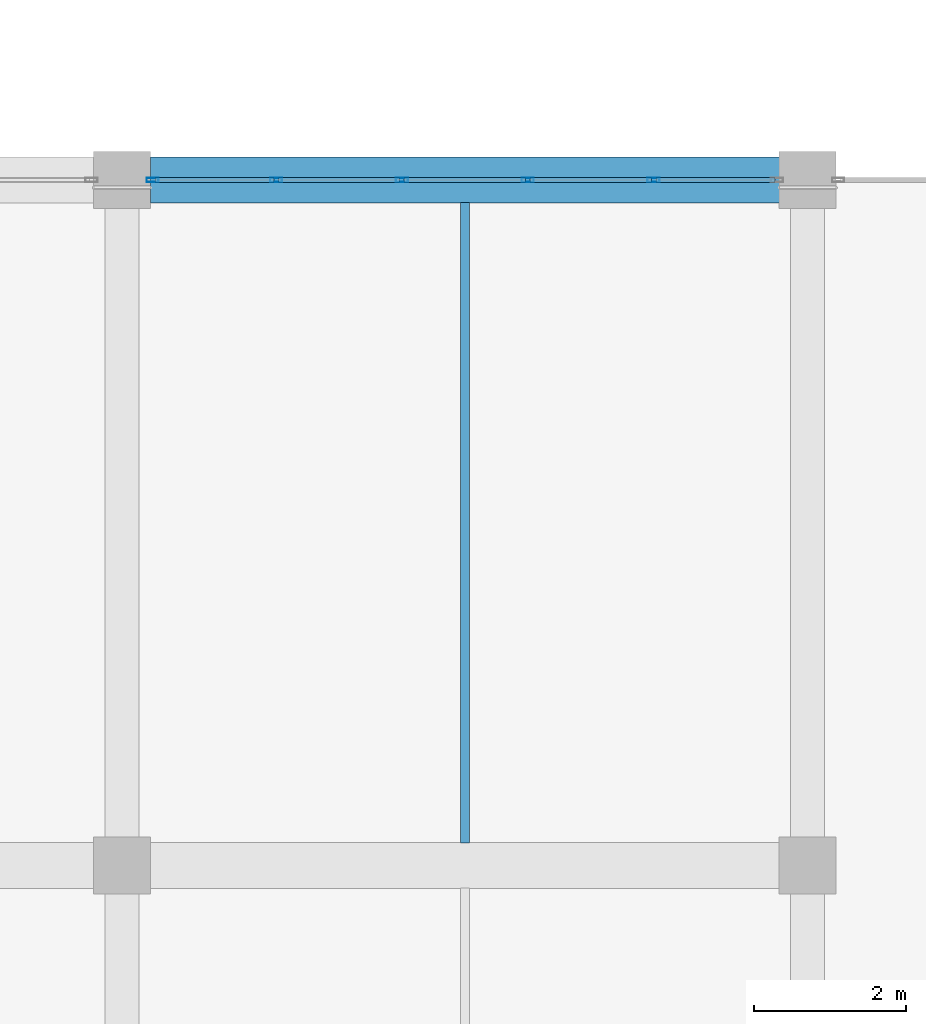
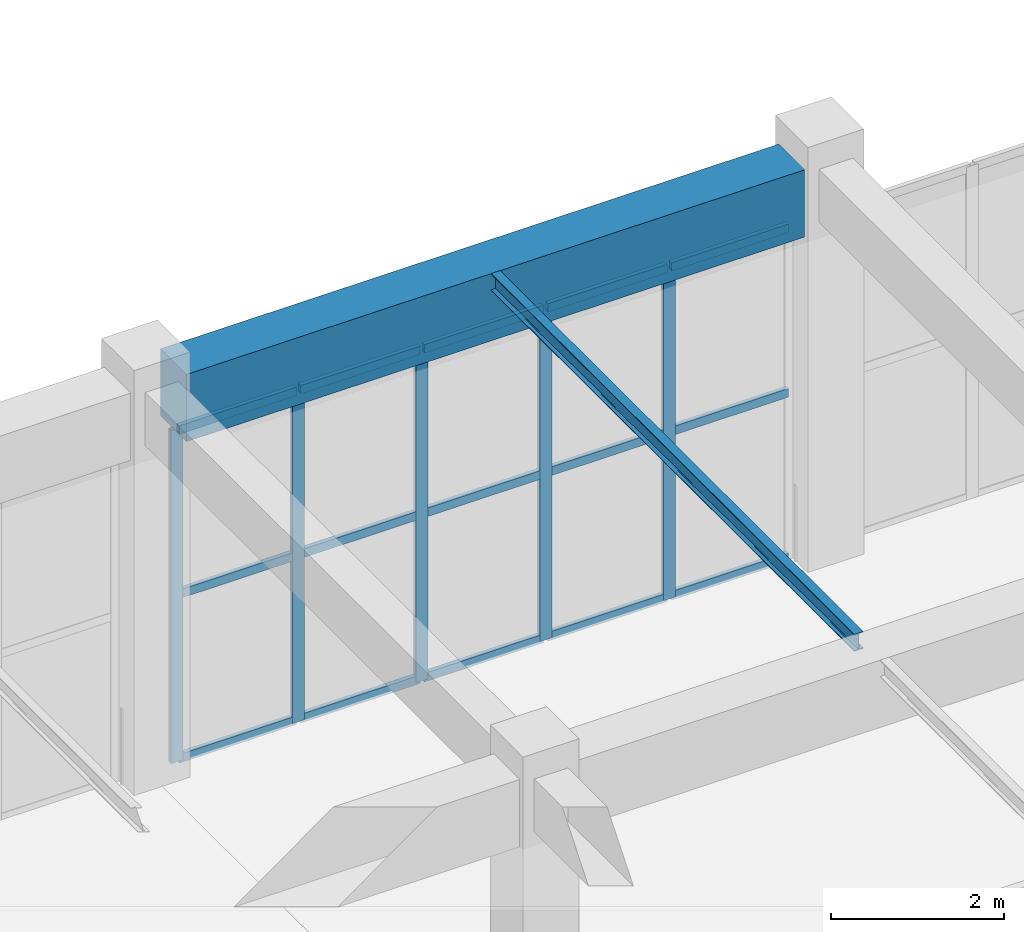
# One storey, part 76 of 223: 20 members, 2 beams, 1 element without a shape of its own.
"""IFC4 building model written with IfcOpenShell, lengths in metres."""

from ifc_helpers import new_model, si_unit, direction, frame, origin, origin_2d, place, context, subcontext, project, spatial, rectangle, hollow_rectangle, i_section, extrude, material, layer, layer_set, material_profile, profile_set, type_object, element, aggregate, save


model = new_model("IFC4")

# Units and contexts
model_context = context("Model", 3, precision=1e-05, world=origin(), true_north=direction((0.0, 1.0)))
body_context = subcontext(model_context, "Body", "Model", "MODEL_VIEW")
ifc_project = project(units=[si_unit("LENGTHUNIT", "METRE"), si_unit("AREAUNIT", "SQUARE_METRE"), si_unit("VOLUMEUNIT", "CUBIC_METRE"), si_unit("PLANEANGLEUNIT", "RADIAN"), si_unit("MASSUNIT", "GRAM", prefix="KILO")], contexts=[model_context])

# Site, building, storey
site_placement = place(None, origin())
site = spatial("IfcSite", under=ifc_project, at=site_placement, CompositionType="ELEMENT")
building_placement = place(site_placement, origin())
building = spatial("IfcBuilding", under=site, at=building_placement, Name="Dornveld Trade and Exhibition Forum", CompositionType="ELEMENT")
storey_placement = place(building_placement, frame((0.0, 0.0, 6.0)))
storey = spatial("IfcBuildingStorey", under=building, at=storey_placement, Name="L01", CompositionType="ELEMENT", Elevation=6.0)

# Beams
ifc_material_1 = material(Name="Steel S355J2", Category="steel")
ifc_material_profile_1 = material_profile(ifc_material_1, i_section(OverallWidth=0.1201171875, OverallDepth=0.239990234375, WebThickness=0.006103515625, FlangeThickness=0.009765625, FilletRadius=0.014892578125, at=origin_2d()), Name="IPE 240")
ifc_profile_set_1 = profile_set([ifc_material_profile_1], Name="Steel S355J2")
beam_type_1 = type_object("IfcBeamType", Name="BM-JOIST-240", PredefinedType="JOIST", material=ifc_profile_set_1)
beam_1_placement = place(storey_placement, frame((220.5, 45.297119140625, 5.52001953125), z_axis=(0.0, 1.0, 0.0), x_axis=(-1.0, 0.0, 0.0)))
element("IfcBeam", 1, at=beam_1_placement, inside=storey, type_object=beam_type_1, Name="L01 secondary joist 1333", PredefinedType="JOIST", context=body_context, shape_type="SweptSolid", body=[
    extrude(i_section(OverallWidth=0.1201171875, OverallDepth=0.239990234375, WebThickness=0.006103515625, FlangeThickness=0.009765625, FilletRadius=0.014892578125, at=origin_2d()), origin(), (0.0, 0.0, 1.0), 8.40576171875),
])
ifc_material_2 = material(Name="Precast concrete C50/60", Category="concrete")
ifc_material_profile_2 = material_profile(ifc_material_2, rectangle(XDim=0.60009765625, YDim=0.949951171875, at=origin_2d()), Name="PC-GIR 600x950")
ifc_profile_set_2 = profile_set([ifc_material_profile_2], Name="Precast concrete C50/60")
beam_type_2 = type_object("IfcBeamType", Name="BM-PC-600x950", PredefinedType="T_BEAM", material=ifc_profile_set_2)
beam_2_placement = place(storey_placement, frame((216.37109375, 54.0, 5.1650390625), z_axis=(1.0, 0.0, 0.0), x_axis=(0.0, 1.0, 0.0)))
element("IfcBeam", 2, at=beam_2_placement, inside=storey, type_object=beam_type_2, Name="L01 X-girder 1294", PredefinedType="T_BEAM", context=body_context, shape_type="SweptSolid", body=[
    extrude(rectangle(XDim=0.60009765625, YDim=0.949951171875, at=origin_2d()), origin(), (0.0, 0.0, 1.0), 8.2578125),
])

# Curtain wall, members
ifc_material_3 = material(Name="Dark-bronze anodised aluminium and low-E glass", Category="aluminium")
ifc_layer = layer(ifc_material_3, 0.193115234375)
ifc_layer_set = layer_set([ifc_layer], Name="Dark-bronze anodised aluminium and low-E glass")
curtain_wall_type = type_object("IfcCurtainWallType", Name="CW-SYS-17", PredefinedType="USERDEFINED", material=ifc_layer_set)
curtain_wall_placement = place(storey_placement, origin())
curtain_wall = element("IfcCurtainWall", 3, at=curtain_wall_placement, inside=storey, type_object=curtain_wall_type, Name="L01 unitised curtain wall 89", ObjectType="UNITISED_CURTAIN_WALL", PredefinedType="USERDEFINED")
ifc_material_4 = material(Name="Dark-bronze anodised aluminium", Category="aluminium")
ifc_material_profile_3 = material_profile(ifc_material_4, hollow_rectangle(XDim=0.06005859375, YDim=0.159912109375, WallThickness=0.00390625, at=origin_2d()), Name="RHS 160x60x4")
ifc_profile_set_3 = profile_set([ifc_material_profile_3], Name="Dark-bronze anodised aluminium")
member_type_1 = type_object("IfcMemberType", Name="CW-MUL-160", PredefinedType="MULLION", material=ifc_profile_set_3)
member_1_placement = place(storey_placement, frame((222.977294921875, 54.0, -0.00390625), z_axis=(0.0, 0.0, 1.0), x_axis=(0.0, -1.0, 0.0)))
member_1 = element("IfcMember", 4, at=member_1_placement, type_object=member_type_1, Name="CW-17 mullion 2", PredefinedType="MULLION", context=body_context, shape_type="SweptSolid", body=[
    extrude(hollow_rectangle(XDim=0.06005859375, YDim=0.159912109375, WallThickness=0.00390625, at=origin_2d()), origin(), (0.0, 0.0, 1.0), 4.703857421875),
])
member_2_placement = place(storey_placement, frame((221.32568359375, 54.0, -0.00390625), z_axis=(0.0, 0.0, 1.0), x_axis=(0.0, -1.0, 0.0)))
member_2 = element("IfcMember", 5, at=member_2_placement, type_object=member_type_1, Name="CW-17 mullion 3", PredefinedType="MULLION", context=body_context, shape_type="SweptSolid", body=[
    extrude(hollow_rectangle(XDim=0.06005859375, YDim=0.159912109375, WallThickness=0.00390625, at=origin_2d()), origin(), (0.0, 0.0, 1.0), 4.703857421875),
])
member_3_placement = place(storey_placement, frame((219.67431640625, 54.0, -0.00390625), z_axis=(0.0, 0.0, 1.0), x_axis=(0.0, -1.0, 0.0)))
member_3 = element("IfcMember", 6, at=member_3_placement, type_object=member_type_1, Name="CW-17 mullion 4", PredefinedType="MULLION", context=body_context, shape_type="SweptSolid", body=[
    extrude(hollow_rectangle(XDim=0.06005859375, YDim=0.159912109375, WallThickness=0.00390625, at=origin_2d()), origin(), (0.0, 0.0, 1.0), 4.703857421875),
])
member_4_placement = place(storey_placement, frame((218.022705078125, 54.0, -0.00390625), z_axis=(0.0, 0.0, 1.0), x_axis=(0.0, -1.0, 0.0)))
member_4 = element("IfcMember", 7, at=member_4_placement, type_object=member_type_1, Name="CW-17 mullion 5", PredefinedType="MULLION", context=body_context, shape_type="SweptSolid", body=[
    extrude(hollow_rectangle(XDim=0.06005859375, YDim=0.159912109375, WallThickness=0.00390625, at=origin_2d()), origin(), (0.0, 0.0, 1.0), 4.703857421875),
])
member_5_placement = place(storey_placement, frame((216.40087890625, 54.0, -0.00390625), z_axis=(0.0, 0.0, 1.0), x_axis=(0.0, -1.0, 0.0)))
member_5 = element("IfcMember", 8, at=member_5_placement, type_object=member_type_1, Name="CW-17 mullion 6", PredefinedType="MULLION", context=body_context, shape_type="SweptSolid", body=[
    extrude(hollow_rectangle(XDim=0.06005859375, YDim=0.159912109375, WallThickness=0.00390625, at=origin_2d()), origin(), (0.0, 0.0, 1.0), 4.703857421875),
])
ifc_material_5 = material(Name="Dark-bronze anodised aluminium", Category="aluminium")
ifc_material_profile_4 = material_profile(ifc_material_5, hollow_rectangle(XDim=0.06005859375, YDim=0.1201171875, WallThickness=0.00390625, at=origin_2d()), Name="RHS 120x60x4")
ifc_profile_set_4 = profile_set([ifc_material_profile_4], Name="Dark-bronze anodised aluminium")
member_type_2 = type_object("IfcMemberType", Name="CW-TRN-120", PredefinedType="USERDEFINED", material=ifc_profile_set_4)
member_6_placement = place(storey_placement, frame((224.569091796875, 54.0, 0.02587890625), z_axis=(-1.0, 0.0, 0.0), x_axis=(0.0, -1.0, 0.0)))
member_6 = element("IfcMember", 9, at=member_6_placement, type_object=member_type_2, Name="CW-17 transom 1.1", ObjectType="TRANSOM", PredefinedType="USERDEFINED", context=body_context, shape_type="SweptSolid", body=[
    extrude(hollow_rectangle(XDim=0.06005859375, YDim=0.1201171875, WallThickness=0.00390625, at=origin_2d()), origin(), (0.0, 0.0, 1.0), 1.561767578125),
])
member_7_placement = place(storey_placement, frame((224.569091796875, 54.0, 2.347900390625), z_axis=(-1.0, 0.0, 0.0), x_axis=(0.0, -1.0, 0.0)))
member_7 = element("IfcMember", 10, at=member_7_placement, type_object=member_type_2, Name="CW-17 transom 1.2", ObjectType="TRANSOM", PredefinedType="USERDEFINED", context=body_context, shape_type="SweptSolid", body=[
    extrude(hollow_rectangle(XDim=0.06005859375, YDim=0.1201171875, WallThickness=0.00390625, at=origin_2d()), origin(), (0.0, 0.0, 1.0), 1.561767578125),
])
member_8_placement = place(storey_placement, frame((224.569091796875, 54.0, 4.669921875), z_axis=(-1.0, 0.0, 0.0), x_axis=(0.0, -1.0, 0.0)))
member_8 = element("IfcMember", 11, at=member_8_placement, type_object=member_type_2, Name="CW-17 transom 1.3", ObjectType="TRANSOM", PredefinedType="USERDEFINED", context=body_context, shape_type="SweptSolid", body=[
    extrude(hollow_rectangle(XDim=0.06005859375, YDim=0.1201171875, WallThickness=0.00390625, at=origin_2d()), origin(), (0.0, 0.0, 1.0), 1.561767578125),
])
member_9_placement = place(storey_placement, frame((222.947509765625, 54.0, 0.02587890625), z_axis=(-1.0, 0.0, 0.0), x_axis=(0.0, -1.0, 0.0)))
member_9 = element("IfcMember", 12, at=member_9_placement, type_object=member_type_2, Name="CW-17 transom 2.1", ObjectType="TRANSOM", PredefinedType="USERDEFINED", context=body_context, shape_type="SweptSolid", body=[
    extrude(hollow_rectangle(XDim=0.06005859375, YDim=0.1201171875, WallThickness=0.00390625, at=origin_2d()), origin(), (0.0, 0.0, 1.0), 1.591796875),
])
member_10_placement = place(storey_placement, frame((222.947509765625, 54.0, 2.347900390625), z_axis=(-1.0, 0.0, 0.0), x_axis=(0.0, -1.0, 0.0)))
member_10 = element("IfcMember", 13, at=member_10_placement, type_object=member_type_2, Name="CW-17 transom 2.2", ObjectType="TRANSOM", PredefinedType="USERDEFINED", context=body_context, shape_type="SweptSolid", body=[
    extrude(hollow_rectangle(XDim=0.06005859375, YDim=0.1201171875, WallThickness=0.00390625, at=origin_2d()), origin(), (0.0, 0.0, 1.0), 1.591796875),
])
member_11_placement = place(storey_placement, frame((222.947509765625, 54.0, 4.669921875), z_axis=(-1.0, 0.0, 0.0), x_axis=(0.0, -1.0, 0.0)))
member_11 = element("IfcMember", 14, at=member_11_placement, type_object=member_type_2, Name="CW-17 transom 2.3", ObjectType="TRANSOM", PredefinedType="USERDEFINED", context=body_context, shape_type="SweptSolid", body=[
    extrude(hollow_rectangle(XDim=0.06005859375, YDim=0.1201171875, WallThickness=0.00390625, at=origin_2d()), origin(), (0.0, 0.0, 1.0), 1.591796875),
])
member_12_placement = place(storey_placement, frame((221.2958984375, 54.0, 0.02587890625), z_axis=(-1.0, 0.0, 0.0), x_axis=(0.0, -1.0, 0.0)))
member_12 = element("IfcMember", 15, at=member_12_placement, type_object=member_type_2, Name="CW-17 transom 3.1", ObjectType="TRANSOM", PredefinedType="USERDEFINED", context=body_context, shape_type="SweptSolid", body=[
    extrude(hollow_rectangle(XDim=0.06005859375, YDim=0.1201171875, WallThickness=0.00390625, at=origin_2d()), origin(), (0.0, 0.0, 1.0), 1.591796875),
])
member_13_placement = place(storey_placement, frame((221.2958984375, 54.0, 2.347900390625), z_axis=(-1.0, 0.0, 0.0), x_axis=(0.0, -1.0, 0.0)))
member_13 = element("IfcMember", 16, at=member_13_placement, type_object=member_type_2, Name="CW-17 transom 3.2", ObjectType="TRANSOM", PredefinedType="USERDEFINED", context=body_context, shape_type="SweptSolid", body=[
    extrude(hollow_rectangle(XDim=0.06005859375, YDim=0.1201171875, WallThickness=0.00390625, at=origin_2d()), origin(), (0.0, 0.0, 1.0), 1.591796875),
])
member_14_placement = place(storey_placement, frame((221.2958984375, 54.0, 4.669921875), z_axis=(-1.0, 0.0, 0.0), x_axis=(0.0, -1.0, 0.0)))
member_14 = element("IfcMember", 17, at=member_14_placement, type_object=member_type_2, Name="CW-17 transom 3.3", ObjectType="TRANSOM", PredefinedType="USERDEFINED", context=body_context, shape_type="SweptSolid", body=[
    extrude(hollow_rectangle(XDim=0.06005859375, YDim=0.1201171875, WallThickness=0.00390625, at=origin_2d()), origin(), (0.0, 0.0, 1.0), 1.591796875),
])
member_15_placement = place(storey_placement, frame((219.644287109375, 54.0, 0.02587890625), z_axis=(-1.0, 0.0, 0.0), x_axis=(0.0, -1.0, 0.0)))
member_15 = element("IfcMember", 18, at=member_15_placement, type_object=member_type_2, Name="CW-17 transom 4.1", ObjectType="TRANSOM", PredefinedType="USERDEFINED", context=body_context, shape_type="SweptSolid", body=[
    extrude(hollow_rectangle(XDim=0.06005859375, YDim=0.1201171875, WallThickness=0.00390625, at=origin_2d()), origin(), (0.0, 0.0, 1.0), 1.591796875),
])
member_16_placement = place(storey_placement, frame((219.644287109375, 54.0, 2.347900390625), z_axis=(-1.0, 0.0, 0.0), x_axis=(0.0, -1.0, 0.0)))
member_16 = element("IfcMember", 19, at=member_16_placement, type_object=member_type_2, Name="CW-17 transom 4.2", ObjectType="TRANSOM", PredefinedType="USERDEFINED", context=body_context, shape_type="SweptSolid", body=[
    extrude(hollow_rectangle(XDim=0.06005859375, YDim=0.1201171875, WallThickness=0.00390625, at=origin_2d()), origin(), (0.0, 0.0, 1.0), 1.591796875),
])
member_17_placement = place(storey_placement, frame((219.644287109375, 54.0, 4.669921875), z_axis=(-1.0, 0.0, 0.0), x_axis=(0.0, -1.0, 0.0)))
member_17 = element("IfcMember", 20, at=member_17_placement, type_object=member_type_2, Name="CW-17 transom 4.3", ObjectType="TRANSOM", PredefinedType="USERDEFINED", context=body_context, shape_type="SweptSolid", body=[
    extrude(hollow_rectangle(XDim=0.06005859375, YDim=0.1201171875, WallThickness=0.00390625, at=origin_2d()), origin(), (0.0, 0.0, 1.0), 1.591796875),
])
member_18_placement = place(storey_placement, frame((217.99267578125, 54.0, 0.02587890625), z_axis=(-1.0, 0.0, 0.0), x_axis=(0.0, -1.0, 0.0)))
member_18 = element("IfcMember", 21, at=member_18_placement, type_object=member_type_2, Name="CW-17 transom 5.1", ObjectType="TRANSOM", PredefinedType="USERDEFINED", context=body_context, shape_type="SweptSolid", body=[
    extrude(hollow_rectangle(XDim=0.06005859375, YDim=0.1201171875, WallThickness=0.00390625, at=origin_2d()), origin(), (0.0, 0.0, 1.0), 1.561767578125),
])
member_19_placement = place(storey_placement, frame((217.99267578125, 54.0, 2.347900390625), z_axis=(-1.0, 0.0, 0.0), x_axis=(0.0, -1.0, 0.0)))
member_19 = element("IfcMember", 22, at=member_19_placement, type_object=member_type_2, Name="CW-17 transom 5.2", ObjectType="TRANSOM", PredefinedType="USERDEFINED", context=body_context, shape_type="SweptSolid", body=[
    extrude(hollow_rectangle(XDim=0.06005859375, YDim=0.1201171875, WallThickness=0.00390625, at=origin_2d()), origin(), (0.0, 0.0, 1.0), 1.561767578125),
])
member_20_placement = place(storey_placement, frame((217.99267578125, 54.0, 4.669921875), z_axis=(-1.0, 0.0, 0.0), x_axis=(0.0, -1.0, 0.0)))
member_20 = element("IfcMember", 23, at=member_20_placement, type_object=member_type_2, Name="CW-17 transom 5.3", ObjectType="TRANSOM", PredefinedType="USERDEFINED", context=body_context, shape_type="SweptSolid", body=[
    extrude(hollow_rectangle(XDim=0.06005859375, YDim=0.1201171875, WallThickness=0.00390625, at=origin_2d()), origin(), (0.0, 0.0, 1.0), 1.561767578125),
])
aggregate(curtain_wall, [member_1, member_2, member_3, member_4, member_5, member_6, member_7, member_8, member_9, member_10, member_11, member_12, member_13, member_14, member_15, member_16, member_17, member_18, member_19, member_20])

save(model, "model.ifc")
